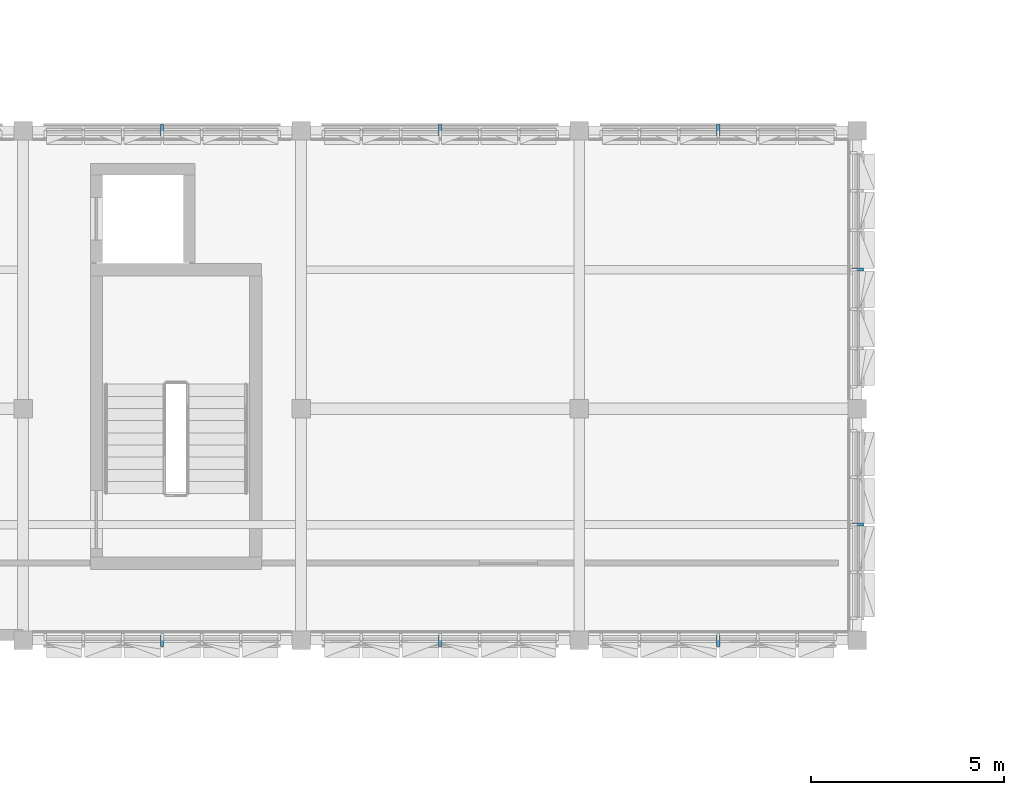
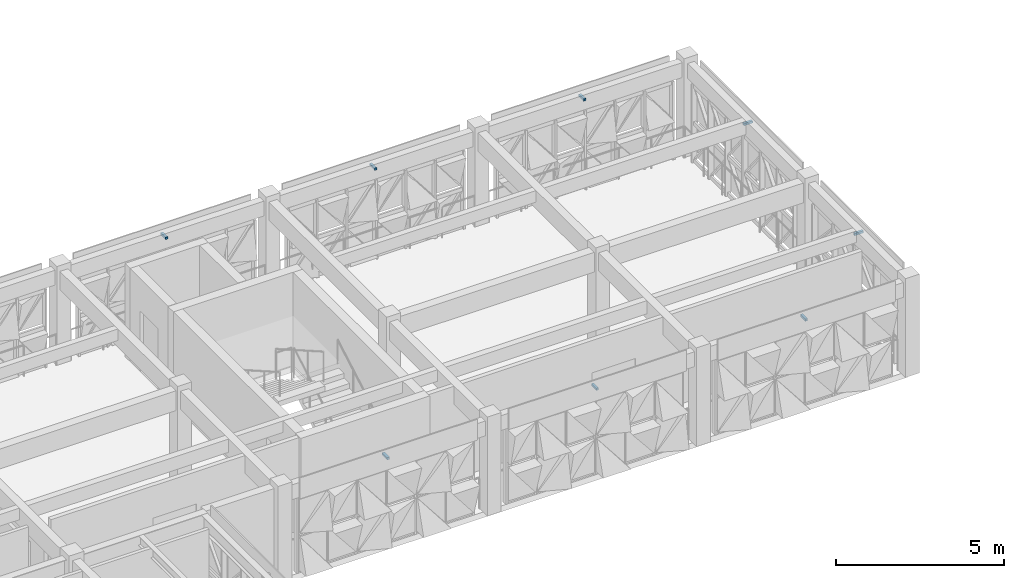
# One storey, part 39 of 48: 8 discrete accessories.
"""IFC4 building model written with IfcOpenShell, lengths in metres."""

from ifc_helpers import new_model, si_unit, direction, frame, origin, origin_2d, place, context, subcontext, project, spatial, rectangle, extrude, material, type_object, element, save


model = new_model("IFC4")

# Units and contexts
model_context = context("Model", 3, precision=1e-05, world=origin(), true_north=direction((0.0, 1.0)))
body_context = subcontext(model_context, "Body", "Model", "MODEL_VIEW")
ifc_project = project(units=[si_unit("LENGTHUNIT", "METRE"), si_unit("AREAUNIT", "SQUARE_METRE"), si_unit("VOLUMEUNIT", "CUBIC_METRE"), si_unit("PLANEANGLEUNIT", "RADIAN"), si_unit("MASSUNIT", "GRAM", prefix="KILO")], contexts=[model_context])

# Site, building, storey
site_placement = place(None, origin())
site = spatial("IfcSite", under=ifc_project, at=site_placement, CompositionType="ELEMENT")
building_placement = place(site_placement, origin())
building = spatial("IfcBuilding", under=site, at=building_placement, Name="Alvorim Cloister Faculty of Sciences", CompositionType="ELEMENT")
storey_placement = place(building_placement, frame((0.0, 0.0, 19.35009765625)))
storey = spatial("IfcBuildingStorey", under=building, at=storey_placement, Name="L05", CompositionType="ELEMENT", Elevation=19.35009765625)

# Discrete accessories
ifc_material = material(Name="Aluminium Alloy 6063-T6", Category="aluminium")
discrete_accessory_type = type_object("IfcDiscreteAccessoryType", Name="ACC-DIAG-BAR", PredefinedType="BRACKET", material=ifc_material)
for number, where, z_axis, x_axis, name in (
    (1, (39.60009765625, 56.260009765625, 3.224853515625), (0.0, 1.0, 0.0), (-1.0, 0.0, 0.0), "Slab-Edge Fascia Tie Bracket ACC-02430"),
    (2, (46.800048828125, 56.260009765625, 3.224853515625), (0.0, 1.0, 0.0), (-1.0, 0.0, 0.0), "Slab-Edge Fascia Tie Bracket ACC-02443"),
    (3, (54.0, 56.260009765625, 3.224853515625), (0.0, 1.0, 0.0), (-1.0, 0.0, 0.0), "Slab-Edge Fascia Tie Bracket ACC-02456"),
    (4, (57.4599609375, 52.800048828125, 3.224853515625), (1.0, 0.0, 0.0), (0.0, 1.0, 0.0), "Slab-Edge Fascia Tie Bracket ACC-02469"),
    (5, (57.4599609375, 46.199951171875, 3.224853515625), (1.0, 0.0, 0.0), (0.0, 1.0, 0.0), "Slab-Edge Fascia Tie Bracket ACC-02478"),
    (6, (54.0, 43.340087890625, 3.224853515625), (0.0, -1.0, 0.0), (1.0, 0.0, 0.0), "Slab-Edge Fascia Tie Bracket ACC-02491"),
    (7, (46.800048828125, 43.340087890625, 3.224853515625), (0.0, -1.0, 0.0), (1.0, 0.0, 0.0), "Slab-Edge Fascia Tie Bracket ACC-02504"),
    (8, (39.60009765625, 43.340087890625, 3.224853515625), (0.0, -1.0, 0.0), (1.0, 0.0, 0.0), "Slab-Edge Fascia Tie Bracket ACC-02517"),
):
    element("IfcDiscreteAccessory", number, at=place(storey_placement, frame(where, z_axis=z_axis, x_axis=x_axis)), inside=storey, type_object=discrete_accessory_type, Name=name, PredefinedType="BRACKET", context=body_context, shape_type="SweptSolid", body=[
        extrude(rectangle(XDim=0.080078125, YDim=0.080078125, at=origin_2d()), origin(), (0.0, 0.0, 1.0), 0.300048828125),
    ])

save(model, "model.ifc")
